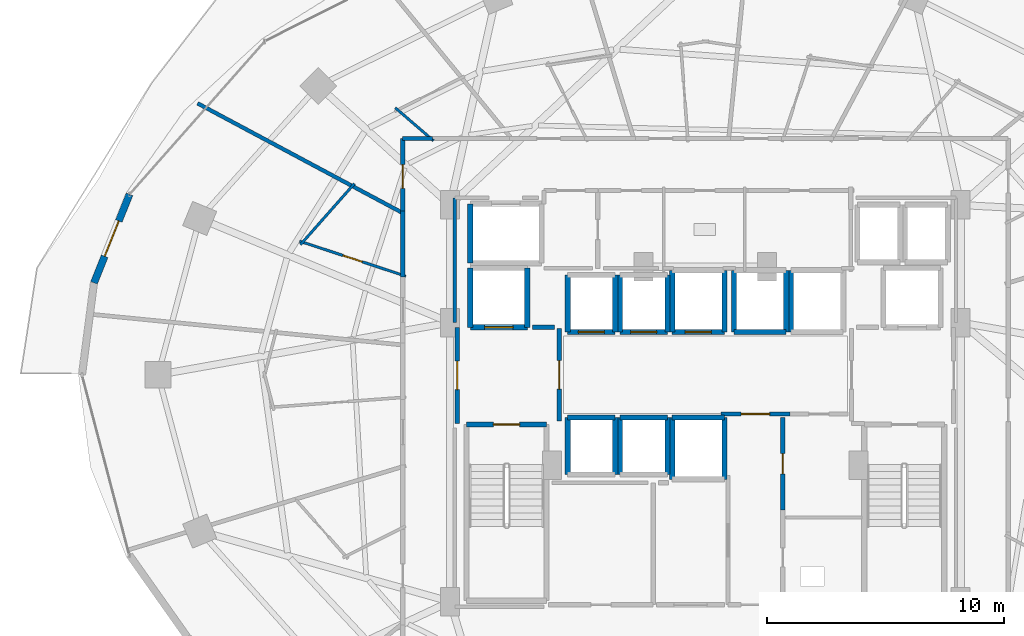
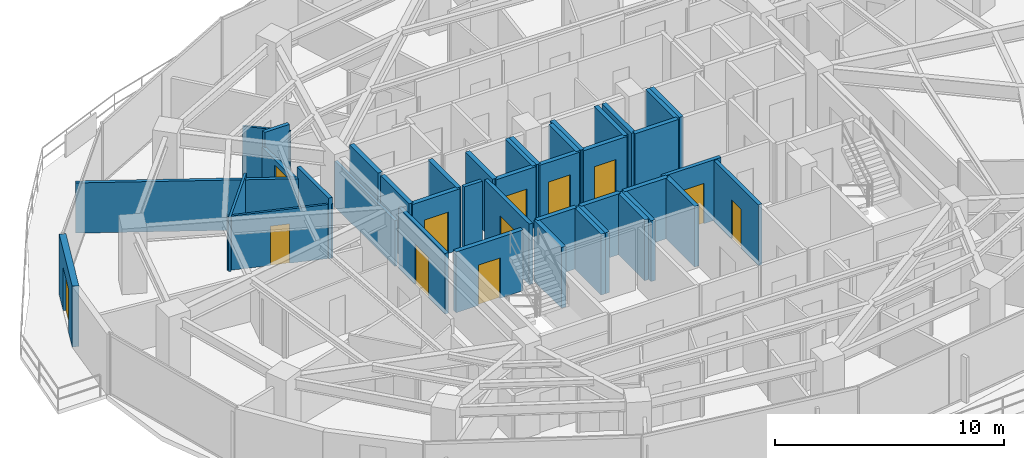
# One storey, part 22 of 29: 41 walls, 12 doors, 12 openings.
"""IFC4 building model written with IfcOpenShell, lengths in metres."""

from ifc_helpers import new_model, si_unit, direction, frame, frame_2d, origin, place, context, subcontext, project, spatial, rectangle, extrude, material, layer, layer_set, type_object, element, fill, save


model = new_model("IFC4")

# Units and contexts
model_context = context("Model", 3, precision=1e-05, world=origin(), true_north=direction((0.0, 1.0)))
body_context = subcontext(model_context, "Body", "Model", "MODEL_VIEW")
ifc_project = project(units=[si_unit("LENGTHUNIT", "METRE"), si_unit("AREAUNIT", "SQUARE_METRE"), si_unit("VOLUMEUNIT", "CUBIC_METRE"), si_unit("PLANEANGLEUNIT", "RADIAN"), si_unit("MASSUNIT", "GRAM", prefix="KILO")], contexts=[model_context])

# Site, building, storey
site_placement = place(None, origin())
site = spatial("IfcSite", under=ifc_project, at=site_placement, CompositionType="ELEMENT")
building_placement = place(site_placement, origin())
building = spatial("IfcBuilding", under=site, at=building_placement, Name="Vorneva Point Tower", CompositionType="ELEMENT")
storey_placement = place(building_placement, frame((0.0, 0.0, 110.300048828125)))
storey = spatial("IfcBuildingStorey", under=building, at=storey_placement, Name="L29", CompositionType="ELEMENT", Elevation=110.300048828125)

# Wall, opening, door
ifc_material_1 = material(Name="Concrete B60 (C50/60)", Category="concrete")
ifc_layer_1 = layer(ifc_material_1, 0.5)
ifc_layer_set_1 = layer_set([ifc_layer_1], Name="Concrete B60 (C50/60)")
wall_type_1 = type_object("IfcWallType", Name="WL-CORE-500", PredefinedType="SHEAR", material=ifc_layer_set_1)
wall_1_placement = place(storey_placement, frame((28.10009765625, 28.0, 0.0), z_axis=(0.0, 0.0, 1.0), x_axis=(1.0, 0.0, 0.0)))
wall_1 = element("IfcWall", 1, at=wall_1_placement, inside=storey, type_object=wall_type_1, Name="L29 Lift FFL1 Shaft Wall -Y", PredefinedType="SHEAR", context=body_context, shape_type="SweptSolid", body=[
    extrude(rectangle(XDim=2.39990234375, YDim=0.219970703125, at=frame_2d((1.199951171875, 0.0))), origin(), (0.0, 0.0, 1.0), 3.239990234375),
])
opening_1_placement = place(wall_1_placement, frame((0.60009765625, 0.0, 0.0)))
opening_1 = element("IfcOpeningElement", 2, at=opening_1_placement, cuts=wall_1, Name="Opening LD-02", PredefinedType="OPENING", context=body_context, shape_type="SweptSolid", body=[
    extrude(rectangle(XDim=1.199951171875, YDim=2.199951171875, at=frame_2d((0.60009765625, 1.10009765625))), frame((0.0, 0.125, 0.0), z_axis=(0.0, -1.0, 0.0), x_axis=(1.0, 0.0, 0.0)), (0.0, 0.0, 1.0), 0.249755859375),
])
ifc_material_2 = material(Name="Brushed stainless steel S304", Category="steel")
door_type_1 = type_object("IfcDoorType", Name="LD-FIRE-1200", OperationType="SLIDING_TO_LEFT", PredefinedType="DOOR", material=ifc_material_2)
door_1_placement = place(opening_1_placement, origin())
door_1 = element("IfcDoor", 3, at=door_1_placement, inside=storey, type_object=door_type_1, Name="L29 Lift FFL1 Sliding Landing Door", OperationType="SLIDING_TO_LEFT", OverallHeight=2.199951171875, OverallWidth=1.199951171875, PredefinedType="DOOR", context=body_context, shape_type="SweptSolid", body=[
    extrude(rectangle(XDim=1.199951171875, YDim=2.199951171875, at=frame_2d((0.60009765625, 1.10009765625))), frame((0.0, 0.02490234375, 0.0), z_axis=(0.0, -1.0, 0.0), x_axis=(1.0, 0.0, 0.0)), (0.0, 0.0, 1.0), 0.050048828125),
])
fill(opening_1, door_1)

# Walls
for number, where, z_axis, x_axis, name in (
    (4, (30.5, 28.0, 0.0), (0.0, 0.0, 1.0), (0.0, 1.0, 0.0), "L29 Lift FFL1 Shaft Wall +X"),
    (5, (28.10009765625, 30.5, 0.0), (0.0, 0.0, 1.0), (0.0, -1.0, 0.0), "L29 Lift FFL1 Shaft Wall -X"),
):
    element("IfcWall", number, at=place(storey_placement, frame(where, z_axis=z_axis, x_axis=x_axis)), inside=storey, type_object=wall_type_1, Name=name, PredefinedType="SHEAR", context=body_context, shape_type="SweptSolid", body=[
        extrude(rectangle(XDim=2.5, YDim=0.219970703125, at=frame_2d((1.25, 0.0))), origin(), (0.0, 0.0, 1.0), 3.239990234375),
    ])

# Wall, opening, door
ifc_material_3 = material(Name="Precast concrete B50 (C40/50)", Category="concrete")
ifc_layer_2 = layer(ifc_material_3, 0.300048828125)
ifc_layer_set_2 = layer_set([ifc_layer_2], Name="Precast concrete B50 (C40/50)")
wall_type_2 = type_object("IfcWallType", Name="WL-EXT-300", PredefinedType="STANDARD", material=ifc_layer_set_2)
wall_2_placement = place(storey_placement, frame((13.748291015625, 33.59619140625, 0.0), z_axis=(0.0, 0.0, 1.0), x_axis=(-0.372345205928, -0.92809430966, 0.0)))
wall_2 = element("IfcWall", 6, at=wall_2_placement, inside=storey, type_object=wall_type_2, Name="L29 Pale-Metal Facade Spandrel Wall 08.1", PredefinedType="STANDARD", context=body_context, shape_type="SweptSolid", body=[
    extrude(rectangle(XDim=4.01220703125, YDim=0.300048828125, at=frame_2d((2.006103515625, 0.0))), origin(), (0.0, 0.0, 1.0), 3.239990234375),
])
opening_2_placement = place(wall_2_placement, frame((1.2060546875, 0.0, 0.0)))
opening_2 = element("IfcOpeningElement", 7, at=opening_2_placement, cuts=wall_2, Name="Opening BD-01", PredefinedType="OPENING", context=body_context, shape_type="SweptSolid", body=[
    extrude(rectangle(XDim=1.60009765625, YDim=2.300048828125, at=frame_2d((0.800048828125, 1.14990234375))), frame((0.0, 0.1650390625, 0.0), z_axis=(0.0, -1.0, 0.0), x_axis=(1.0, 0.0, 0.0)), (0.0, 0.0, 1.0), 0.329833984375),
])
ifc_material_4 = material(Name="Pale anodised aluminium", Category="aluminium")
door_type_2 = type_object("IfcDoorType", Name="DR-BAL-1600", OperationType="SLIDING_TO_LEFT", PredefinedType="DOOR", material=ifc_material_4)
door_2_placement = place(opening_2_placement, origin())
door_2 = element("IfcDoor", 8, at=door_2_placement, inside=storey, type_object=door_type_2, Name="L29 Balcony Terrace Access Door 08", OperationType="SLIDING_TO_LEFT", OverallHeight=2.300048828125, OverallWidth=1.60009765625, PredefinedType="DOOR", context=body_context, shape_type="SweptSolid", body=[
    extrude(rectangle(XDim=1.60009765625, YDim=2.300048828125, at=frame_2d((0.800048828125, 1.14990234375))), frame((0.0, 0.02490234375, 0.0), z_axis=(0.0, -1.0, 0.0), x_axis=(1.0, 0.0, 0.0)), (0.0, 0.0, 1.0), 0.050048828125),
])
fill(opening_2, door_2)

# Walls
ifc_material_5 = material(Name="Fire-rated acoustic gypsum stud partition", Category="gypsum")
ifc_layer_3 = layer(ifc_material_5, 0.110107421875)
ifc_layer_set_3 = layer_set([ifc_layer_3], Name="Fire-rated acoustic gypsum stud partition")
wall_type_3 = type_object("IfcWallType", Name="WL-PART-110", PredefinedType="PARTITIONING", material=ifc_layer_set_3)
wall_3_placement = place(storey_placement, frame((26.548095703125, 35.858642578125, 0.0), z_axis=(0.0, 0.0, 1.0), x_axis=(-0.757776702782, 0.652513960556, 0.0)))
element("IfcWall", 9, at=wall_3_placement, inside=storey, type_object=wall_type_3, Name="L29 Interior Partition 082", PredefinedType="PARTITIONING", context=body_context, shape_type="SweptSolid", body=[
    extrude(rectangle(XDim=2.122314453125, YDim=0.110107421875, at=frame_2d((1.06103515625, 0.0))), origin(), (0.0, 0.0, 1.0), 2.885986328125),
])
wall_4_placement = place(storey_placement, frame((20.9482421875, 31.47900390625, 0.0), z_axis=(0.0, 0.0, 1.0), x_axis=(0.662155101597, 0.749366813669, 0.0)))
element("IfcWall", 10, at=wall_4_placement, inside=storey, type_object=wall_type_3, Name="L29 Interior Partition 084", PredefinedType="PARTITIONING", context=body_context, shape_type="SweptSolid", body=[
    extrude(rectangle(XDim=3.434814453125, YDim=0.110107421875, at=frame_2d((1.71728515625, 0.0))), origin(), (0.0, 0.0, 1.0), 2.885986328125),
])

# Wall, opening, door
wall_5_placement = place(storey_placement, frame((25.383056640625, 30.154296875, 0.0), z_axis=(0.0, 0.0, 1.0), x_axis=(-0.949842778007, 0.312727832257, 0.0)))
wall_5 = element("IfcWall", 11, at=wall_5_placement, inside=storey, type_object=wall_type_3, Name="L29 Interior Partition 085", PredefinedType="PARTITIONING", context=body_context, shape_type="SweptSolid", body=[
    extrude(rectangle(XDim=4.71142578125, YDim=0.110107421875, at=frame_2d((2.355712890625, 0.0))), origin(), (0.0, 0.0, 1.0), 2.885986328125),
])
opening_3_placement = place(wall_5_placement, frame((1.9306640625, 0.0, 0.0)))
opening_3 = element("IfcOpeningElement", 12, at=opening_3_placement, cuts=wall_5, Name="Opening ID-02", PredefinedType="OPENING", context=body_context, shape_type="SweptSolid", body=[
    extrude(rectangle(XDim=0.85009765625, YDim=2.10009765625, at=frame_2d((0.425048828125, 1.050048828125))), frame((0.0, 0.06982421875, 0.0), z_axis=(0.0, -1.0, 0.0), x_axis=(1.0, 0.0, 0.0)), (0.0, 0.0, 1.0), 0.139892578125),
])
ifc_material_6 = material(Name="Engineered oak fire-rated door leaf", Category="wood")
door_type_3 = type_object("IfcDoorType", Name="DR-BATH-850", OperationType="NOTDEFINED", PredefinedType="DOOR", material=ifc_material_6)
door_3_placement = place(opening_3_placement, origin())
door_3 = element("IfcDoor", 13, at=door_3_placement, inside=storey, type_object=door_type_3, Name="L29 Door Corner Suite L29-07 / En-Suite Bathroom L29-07", OperationType="SINGLE_SWING_LEFT", OverallHeight=2.10009765625, OverallWidth=0.85009765625, PredefinedType="DOOR", context=body_context, shape_type="SweptSolid", body=[
    extrude(rectangle(XDim=0.85009765625, YDim=2.10009765625, at=frame_2d((0.425048828125, 1.050048828125))), frame((0.0, 0.02490234375, 0.0), z_axis=(0.0, -1.0, 0.0), x_axis=(1.0, 0.0, 0.0)), (0.0, 0.0, 1.0), 0.050048828125),
])
fill(opening_3, door_3)

# Walls
ifc_layer_4 = layer(ifc_material_5, 0.139892578125)
ifc_layer_set_4 = layer_set([ifc_layer_4], Name="Fire-rated acoustic gypsum stud partition")
wall_type_4 = type_object("IfcWallType", Name="WL-PART-140", PredefinedType="PARTITIONING", material=ifc_layer_set_4)
wall_6_placement = place(storey_placement, frame((27.449951171875, 28.196044921875, 0.0), z_axis=(0.0, 0.0, 1.0), x_axis=(0.0, 1.0, 0.0)))
element("IfcWall", 14, at=wall_6_placement, inside=storey, type_object=wall_type_4, Name="L29 Interior Closure Partition 129", PredefinedType="PARTITIONING", context=body_context, shape_type="SweptSolid", body=[
    extrude(rectangle(XDim=5.25390625, YDim=0.139892578125, at=frame_2d((2.626953125, 0.0))), origin(), (0.0, 0.0, 1.0), 2.431884765625),
])
ifc_layer_5 = layer(ifc_material_5, 0.159912109375)
ifc_layer_set_5 = layer_set([ifc_layer_5], Name="Fire-rated acoustic gypsum stud partition")
wall_type_5 = type_object("IfcWallType", Name="WL-PART-160", PredefinedType="PARTITIONING", material=ifc_layer_set_5)
wall_7_placement = place(storey_placement, frame((16.615966796875, 37.429931640625, 0.0), z_axis=(0.0, 0.0, 1.0), x_axis=(0.881921122551, -0.471397002109, 0.0)))
element("IfcWall", 15, at=wall_7_placement, inside=storey, type_object=wall_type_5, Name="L29 Interior Partition 083", PredefinedType="PARTITIONING", context=body_context, shape_type="SweptSolid", body=[
    extrude(rectangle(XDim=9.7900390625, YDim=0.159912109375, at=frame_2d((4.89501953125, 0.0))), origin(), (0.0, 0.0, 1.0), 2.677001953125),
])

# Wall, opening, door
ifc_material_7 = material(Name="Autoclaved aerated concrete blockwork", Category="masonry")
ifc_layer_6 = layer(ifc_material_7, 0.179931640625)
ifc_layer_set_6 = layer_set([ifc_layer_6], Name="Autoclaved aerated concrete blockwork")
wall_type_6 = type_object("IfcWallType", Name="WL-PART-180", PredefinedType="PARTITIONING", material=ifc_layer_set_6)
wall_8_placement = place(storey_placement, frame((31.85009765625, 24.044921875, 0.0), z_axis=(0.0, 0.0, 1.0), x_axis=(0.0, 1.0, 0.0)))
wall_8 = element("IfcWall", 16, at=wall_8_placement, inside=storey, type_object=wall_type_6, Name="L29 Interior Partition 001", PredefinedType="PARTITIONING", context=body_context, shape_type="SweptSolid", body=[
    extrude(rectangle(XDim=3.91015625, YDim=0.179931640625, at=frame_2d((1.955078125, 0.0))), origin(), (0.0, 0.0, 1.0), 3.239990234375),
])
opening_4_placement = place(wall_8_placement, frame((1.35498046875, 0.0, 0.0)))
opening_4 = element("IfcOpeningElement", 17, at=opening_4_placement, cuts=wall_8, Name="Opening FD-02", PredefinedType="OPENING", context=body_context, shape_type="SweptSolid", body=[
    extrude(rectangle(XDim=1.199951171875, YDim=2.14990234375, at=frame_2d((0.60009765625, 1.074951171875))), frame((0.0, 0.10498046875, 0.0), z_axis=(0.0, -1.0, 0.0), x_axis=(1.0, 0.0, 0.0)), (0.0, 0.0, 1.0), 0.209716796875),
])
ifc_material_8 = material(Name="Fire-rated powder-coated steel", Category="steel")
door_type_4 = type_object("IfcDoorType", Name="DR-FFL-1200", OperationType="NOTDEFINED", PredefinedType="DOOR", material=ifc_material_8)
door_4_placement = place(opening_4_placement, origin())
door_4 = element("IfcDoor", 18, at=door_4_placement, inside=storey, type_object=door_type_4, Name="L29 Door West Firefighting Lobby / Central Lift Lobby", OperationType="SINGLE_SWING_RIGHT", OverallHeight=2.14990234375, OverallWidth=1.199951171875, PredefinedType="DOOR", context=body_context, shape_type="SweptSolid", body=[
    extrude(rectangle(XDim=1.199951171875, YDim=2.14990234375, at=frame_2d((0.60009765625, 1.074951171875))), frame((0.0, 0.02490234375, 0.0), z_axis=(0.0, -1.0, 0.0), x_axis=(1.0, 0.0, 0.0)), (0.0, 0.0, 1.0), 0.050048828125),
])
fill(opening_4, door_4)

wall_9_placement = place(storey_placement, frame((27.550048828125, 28.0, 0.0), z_axis=(0.0, 0.0, 1.0), x_axis=(0.0, -1.0, 0.0)))
wall_9 = element("IfcWall", 19, at=wall_9_placement, inside=storey, type_object=wall_type_6, Name="L29 Interior Partition 002", PredefinedType="PARTITIONING", context=body_context, shape_type="SweptSolid", body=[
    extrude(rectangle(XDim=4.050048828125, YDim=0.179931640625, at=frame_2d((2.02490234375, 0.0))), origin(), (0.0, 0.0, 1.0), 3.239990234375),
])
opening_5_placement = place(wall_9_placement, frame((1.425048828125, 0.0, 0.0)))
opening_5 = element("IfcOpeningElement", 20, at=opening_5_placement, cuts=wall_9, Name="Opening FD-02", PredefinedType="OPENING", context=body_context, shape_type="SweptSolid", body=[
    extrude(rectangle(XDim=1.199951171875, YDim=2.14990234375, at=frame_2d((0.60009765625, 1.074951171875))), frame((0.0, 0.10498046875, 0.0), z_axis=(0.0, -1.0, 0.0), x_axis=(1.0, 0.0, 0.0)), (0.0, 0.0, 1.0), 0.209716796875),
])
door_5_placement = place(opening_5_placement, origin())
door_5 = element("IfcDoor", 21, at=door_5_placement, inside=storey, type_object=door_type_4, Name="L29 Door West Firefighting Lobby / L29 Circulation Corridor", OperationType="SINGLE_SWING_RIGHT", OverallHeight=2.14990234375, OverallWidth=1.199951171875, PredefinedType="DOOR", context=body_context, shape_type="SweptSolid", body=[
    extrude(rectangle(XDim=1.199951171875, YDim=2.14990234375, at=frame_2d((0.60009765625, 1.074951171875))), frame((0.0, 0.02490234375, 0.0), z_axis=(0.0, -1.0, 0.0), x_axis=(1.0, 0.0, 0.0)), (0.0, 0.0, 1.0), 0.050048828125),
])
fill(opening_5, door_5)

wall_10_placement = place(storey_placement, frame((38.64501953125, 24.35009765625, 0.0), z_axis=(0.0, 0.0, 1.0), x_axis=(1.0, 0.0, 0.0)))
wall_10 = element("IfcWall", 22, at=wall_10_placement, inside=storey, type_object=wall_type_6, Name="L29 Interior Partition 009", PredefinedType="PARTITIONING", context=body_context, shape_type="SweptSolid", body=[
    extrude(rectangle(XDim=2.909912109375, YDim=0.179931640625, at=frame_2d((1.455078125, 0.0))), origin(), (0.0, 0.0, 1.0), 3.239990234375),
])
opening_6_placement = place(wall_10_placement, frame((0.85498046875, 0.0, 0.0)))
opening_6 = element("IfcOpeningElement", 23, at=opening_6_placement, cuts=wall_10, Name="Opening FD-02", PredefinedType="OPENING", context=body_context, shape_type="SweptSolid", body=[
    extrude(rectangle(XDim=1.199951171875, YDim=2.14990234375, at=frame_2d((0.60009765625, 1.074951171875))), frame((0.0, 0.10498046875, 0.0), z_axis=(0.0, -1.0, 0.0), x_axis=(1.0, 0.0, 0.0)), (0.0, 0.0, 1.0), 0.209716796875),
])
door_6_placement = place(opening_6_placement, origin())
door_6 = element("IfcDoor", 24, at=door_6_placement, inside=storey, type_object=door_type_4, Name="L29 Door Central Lift Lobby / Core Service Lobby", OperationType="SINGLE_SWING_RIGHT", OverallHeight=2.14990234375, OverallWidth=1.199951171875, PredefinedType="DOOR", context=body_context, shape_type="SweptSolid", body=[
    extrude(rectangle(XDim=1.199951171875, YDim=2.14990234375, at=frame_2d((0.60009765625, 1.074951171875))), frame((0.0, 0.02490234375, 0.0), z_axis=(0.0, -1.0, 0.0), x_axis=(1.0, 0.0, 0.0)), (0.0, 0.0, 1.0), 0.050048828125),
])
fill(opening_6, door_6)

wall_11_placement = place(storey_placement, frame((41.25, 20.304931640625, 0.0), z_axis=(0.0, 0.0, 1.0), x_axis=(0.0, 1.0, 0.0)))
wall_11 = element("IfcWall", 25, at=wall_11_placement, inside=storey, type_object=wall_type_6, Name="L29 Interior Partition 012", PredefinedType="PARTITIONING", context=body_context, shape_type="SweptSolid", body=[
    extrude(rectangle(XDim=3.89501953125, YDim=0.179931640625, at=frame_2d((1.947509765625, 0.0))), origin(), (0.0, 0.0, 1.0), 3.239990234375),
])
opening_7_placement = place(wall_11_placement, frame((1.5224609375, 0.0, 0.0)))
opening_7 = element("IfcOpeningElement", 26, at=opening_7_placement, cuts=wall_11, Name="Opening ID-02", PredefinedType="OPENING", context=body_context, shape_type="SweptSolid", body=[
    extrude(rectangle(XDim=0.85009765625, YDim=2.10009765625, at=frame_2d((0.425048828125, 1.050048828125))), frame((0.0, 0.10498046875, 0.0), z_axis=(0.0, -1.0, 0.0), x_axis=(1.0, 0.0, 0.0)), (0.0, 0.0, 1.0), 0.209716796875),
])
door_7_placement = place(opening_7_placement, origin())
door_7 = element("IfcDoor", 27, at=door_7_placement, inside=storey, type_object=door_type_3, Name="L29 Door Core Service Lobby / Valet and Parcel Room", OperationType="SINGLE_SWING_LEFT", OverallHeight=2.10009765625, OverallWidth=0.85009765625, PredefinedType="DOOR", context=body_context, shape_type="SweptSolid", body=[
    extrude(rectangle(XDim=0.85009765625, YDim=2.10009765625, at=frame_2d((0.425048828125, 1.050048828125))), frame((0.0, 0.02490234375, 0.0), z_axis=(0.0, -1.0, 0.0), x_axis=(1.0, 0.0, 0.0)), (0.0, 0.0, 1.0), 0.050048828125),
])
fill(opening_7, door_7)

# Wall
wall_12_placement = place(storey_placement, frame((26.501953125, 35.949951171875, 0.0), z_axis=(0.0, 0.0, 1.0), x_axis=(-1.0, 0.0, 0.0)))
element("IfcWall", 28, at=wall_12_placement, inside=storey, type_object=wall_type_6, Name="L29 Interior Partition 037", PredefinedType="PARTITIONING", context=body_context, shape_type="SweptSolid", body=[
    extrude(rectangle(XDim=1.251953125, YDim=0.179931640625, at=frame_2d((0.6259765625, 0.0))), origin(), (0.0, 0.0, 1.0), 3.239990234375),
])

# Wall, opening, door
wall_13_placement = place(storey_placement, frame((25.25, 35.949951171875, 0.0), z_axis=(0.0, 0.0, 1.0), x_axis=(0.0, -1.0, 0.0)))
wall_13 = element("IfcWall", 29, at=wall_13_placement, inside=storey, type_object=wall_type_6, Name="L29 Interior Partition 038", PredefinedType="PARTITIONING", context=body_context, shape_type="SweptSolid", body=[
    extrude(rectangle(XDim=3.195068359375, YDim=0.179931640625, at=frame_2d((1.59765625, 0.0))), origin(), (0.0, 0.0, 1.0), 2.431884765625),
])
opening_8_placement = place(wall_13_placement, frame((1.097412109375, 0.0, 0.0)))
opening_8 = element("IfcOpeningElement", 30, at=opening_8_placement, cuts=wall_13, Name="Opening UD-01", PredefinedType="OPENING", context=body_context, shape_type="SweptSolid", body=[
    extrude(rectangle(XDim=1.0, YDim=2.14990234375, at=frame_2d((0.5, 1.074951171875))), frame((0.0, 0.10498046875, 0.0), z_axis=(0.0, -1.0, 0.0), x_axis=(1.0, 0.0, 0.0)), (0.0, 0.0, 1.0), 0.209716796875),
])
door_type_5 = type_object("IfcDoorType", Name="DR-UNIT-1000", OperationType="NOTDEFINED", PredefinedType="DOOR", material=ifc_material_6)
door_8_placement = place(opening_8_placement, origin())
door_8 = element("IfcDoor", 31, at=door_8_placement, inside=storey, type_object=door_type_5, Name="L29 Door L29 Circulation Corridor / King Guest Room L29-06", OperationType="SINGLE_SWING_LEFT", OverallHeight=2.14990234375, OverallWidth=1.0, PredefinedType="DOOR", context=body_context, shape_type="SweptSolid", body=[
    extrude(rectangle(XDim=1.0, YDim=2.14990234375, at=frame_2d((0.5, 1.074951171875))), frame((0.0, 0.02490234375, 0.0), z_axis=(0.0, -1.0, 0.0), x_axis=(1.0, 0.0, 0.0)), (0.0, 0.0, 1.0), 0.050048828125),
])
fill(opening_8, door_8)

# Walls
wall_14_placement = place(storey_placement, frame((25.25, 32.89501953125, 0.0), z_axis=(0.0, 0.0, 1.0), x_axis=(0.0, -1.0, 0.0)))
element("IfcWall", 32, at=wall_14_placement, inside=storey, type_object=wall_type_6, Name="L29 Interior Partition 041", PredefinedType="PARTITIONING", context=body_context, shape_type="SweptSolid", body=[
    extrude(rectangle(XDim=2.77392578125, YDim=0.179931640625, at=frame_2d((1.386962890625, 0.0))), origin(), (0.0, 0.0, 1.0), 3.239990234375),
])
wall_15_placement = place(storey_placement, frame((31.635009765625, 28.0, 0.0), z_axis=(0.0, 0.0, 1.0), x_axis=(-1.0, 0.0, 0.0)))
element("IfcWall", 33, at=wall_15_placement, inside=storey, type_object=wall_type_6, Name="L29 Interior Closure Partition 113", PredefinedType="PARTITIONING", context=body_context, shape_type="SweptSolid", body=[
    extrude(rectangle(XDim=0.9150390625, YDim=0.179931640625, at=frame_2d((0.45751953125, 0.0))), origin(), (0.0, 0.0, 1.0), 3.239990234375),
])

# Wall, opening, door
ifc_material_9 = material(Name="Concrete B50 (C40/50)", Category="concrete")
ifc_layer_7 = layer(ifc_material_9, 0.219970703125)
ifc_layer_set_7 = layer_set([ifc_layer_7], Name="Concrete B50 (C40/50)")
wall_type_7 = type_object("IfcWallType", Name="WL-SHFT-220", PredefinedType="SOLIDWALL", material=ifc_layer_set_7)
wall_16_placement = place(storey_placement, frame((27.93994140625, 23.909912109375, 0.0), z_axis=(0.0, 0.0, 1.0), x_axis=(1.0, 0.0, 0.0)))
wall_16 = element("IfcWall", 34, at=wall_16_placement, inside=storey, type_object=wall_type_7, Name="L29 Exit Stair ST1 Shaft Wall near", PredefinedType="SOLIDWALL", context=body_context, shape_type="SweptSolid", body=[
    extrude(rectangle(XDim=3.3701171875, YDim=0.219970703125, at=frame_2d((1.68505859375, 0.0))), origin(), (0.0, 0.0, 1.0), 3.239990234375),
])
opening_9_placement = place(wall_16_placement, frame((1.135009765625, 0.0, 0.0)))
opening_9 = element("IfcOpeningElement", 35, at=opening_9_placement, cuts=wall_16, Name="Opening FD-01", PredefinedType="OPENING", context=body_context, shape_type="SweptSolid", body=[
    extrude(rectangle(XDim=1.10009765625, YDim=2.14990234375, at=frame_2d((0.550048828125, 1.074951171875))), frame((0.0, 0.125, 0.0), z_axis=(0.0, -1.0, 0.0), x_axis=(1.0, 0.0, 0.0)), (0.0, 0.0, 1.0), 0.249755859375),
])
door_type_6 = type_object("IfcDoorType", Name="DR-STAIR-1100", OperationType="NOTDEFINED", PredefinedType="DOOR", material=ifc_material_8)
door_9_placement = place(opening_9_placement, origin())
door_9 = element("IfcDoor", 36, at=door_9_placement, inside=storey, type_object=door_type_6, Name="L29 Exit Stair ST1 Fire Door", OperationType="SINGLE_SWING_LEFT", OverallHeight=2.14990234375, OverallWidth=1.10009765625, PredefinedType="DOOR", context=body_context, shape_type="SweptSolid", body=[
    extrude(rectangle(XDim=1.10009765625, YDim=2.14990234375, at=frame_2d((0.550048828125, 1.074951171875))), frame((0.0, 0.02490234375, 0.0), z_axis=(0.0, -1.0, 0.0), x_axis=(1.0, 0.0, 0.0)), (0.0, 0.0, 1.0), 0.050048828125),
])
fill(opening_9, door_9)

wall_17_placement = place(storey_placement, frame((32.199951171875, 27.800048828125, 0.0), z_axis=(0.0, 0.0, 1.0), x_axis=(1.0, 0.0, 0.0)))
wall_17 = element("IfcWall", 37, at=wall_17_placement, inside=storey, type_object=wall_type_7, Name="L29 Lift PL1 Shaft Wall -Y", PredefinedType="SOLIDWALL", context=body_context, shape_type="SweptSolid", body=[
    extrude(rectangle(XDim=2.0, YDim=0.219970703125, at=frame_2d((1.0, 0.0))), origin(), (0.0, 0.0, 1.0), 3.239990234375),
])
opening_10_placement = place(wall_17_placement, frame((0.449951171875, 0.0, 0.0)))
opening_10 = element("IfcOpeningElement", 38, at=opening_10_placement, cuts=wall_17, Name="Opening LD-01", PredefinedType="OPENING", context=body_context, shape_type="SweptSolid", body=[
    extrude(rectangle(XDim=1.10009765625, YDim=2.199951171875, at=frame_2d((0.550048828125, 1.10009765625))), frame((0.0, 0.125, 0.0), z_axis=(0.0, -1.0, 0.0), x_axis=(1.0, 0.0, 0.0)), (0.0, 0.0, 1.0), 0.249755859375),
])
door_type_7 = type_object("IfcDoorType", Name="LD-PASS-1100", OperationType="SLIDING_TO_LEFT", PredefinedType="DOOR", material=ifc_material_2)
door_10_placement = place(opening_10_placement, origin())
door_10 = element("IfcDoor", 39, at=door_10_placement, inside=storey, type_object=door_type_7, Name="L29 Lift PL1 Sliding Landing Door", OperationType="SLIDING_TO_LEFT", OverallHeight=2.199951171875, OverallWidth=1.10009765625, PredefinedType="DOOR", context=body_context, shape_type="SweptSolid", body=[
    extrude(rectangle(XDim=1.10009765625, YDim=2.199951171875, at=frame_2d((0.550048828125, 1.10009765625))), frame((0.0, 0.02490234375, 0.0), z_axis=(0.0, -1.0, 0.0), x_axis=(1.0, 0.0, 0.0)), (0.0, 0.0, 1.0), 0.050048828125),
])
fill(opening_10, door_10)

# Walls
for number, where, z_axis, x_axis, name in (
    (40, (34.199951171875, 27.800048828125, 0.0), (0.0, 0.0, 1.0), (0.0, 1.0, 0.0), "L29 Lift PL1 Shaft Wall +X"),
    (41, (32.199951171875, 30.199951171875, 0.0), (0.0, 0.0, 1.0), (0.0, -1.0, 0.0), "L29 Lift PL1 Shaft Wall -X"),
):
    element("IfcWall", number, at=place(storey_placement, frame(where, z_axis=z_axis, x_axis=x_axis)), inside=storey, type_object=wall_type_7, Name=name, PredefinedType="SOLIDWALL", context=body_context, shape_type="SweptSolid", body=[
        extrude(rectangle(XDim=2.39990234375, YDim=0.219970703125, at=frame_2d((1.199951171875, 0.0))), origin(), (0.0, 0.0, 1.0), 3.239990234375),
    ])

# Wall, opening, door
wall_18_placement = place(storey_placement, frame((34.39990234375, 27.800048828125, 0.0), z_axis=(0.0, 0.0, 1.0), x_axis=(1.0, 0.0, 0.0)))
wall_18 = element("IfcWall", 42, at=wall_18_placement, inside=storey, type_object=wall_type_7, Name="L29 Lift PL2 Shaft Wall -Y", PredefinedType="SOLIDWALL", context=body_context, shape_type="SweptSolid", body=[
    extrude(rectangle(XDim=2.0, YDim=0.219970703125, at=frame_2d((1.0, 0.0))), origin(), (0.0, 0.0, 1.0), 3.239990234375),
])
opening_11_placement = place(wall_18_placement, frame((0.449951171875, 0.0, 0.0)))
opening_11 = element("IfcOpeningElement", 43, at=opening_11_placement, cuts=wall_18, Name="Opening LD-01", PredefinedType="OPENING", context=body_context, shape_type="SweptSolid", body=[
    extrude(rectangle(XDim=1.10009765625, YDim=2.199951171875, at=frame_2d((0.550048828125, 1.10009765625))), frame((0.0, 0.125, 0.0), z_axis=(0.0, -1.0, 0.0), x_axis=(1.0, 0.0, 0.0)), (0.0, 0.0, 1.0), 0.249755859375),
])
door_11_placement = place(opening_11_placement, origin())
door_11 = element("IfcDoor", 44, at=door_11_placement, inside=storey, type_object=door_type_7, Name="L29 Lift PL2 Sliding Landing Door", OperationType="SLIDING_TO_LEFT", OverallHeight=2.199951171875, OverallWidth=1.10009765625, PredefinedType="DOOR", context=body_context, shape_type="SweptSolid", body=[
    extrude(rectangle(XDim=1.10009765625, YDim=2.199951171875, at=frame_2d((0.550048828125, 1.10009765625))), frame((0.0, 0.02490234375, 0.0), z_axis=(0.0, -1.0, 0.0), x_axis=(1.0, 0.0, 0.0)), (0.0, 0.0, 1.0), 0.050048828125),
])
fill(opening_11, door_11)

# Walls
for number, where, z_axis, x_axis, name in (
    (45, (36.39990234375, 27.800048828125, 0.0), (0.0, 0.0, 1.0), (0.0, 1.0, 0.0), "L29 Lift PL2 Shaft Wall +X"),
    (46, (34.39990234375, 30.199951171875, 0.0), (0.0, 0.0, 1.0), (0.0, -1.0, 0.0), "L29 Lift PL2 Shaft Wall -X"),
):
    element("IfcWall", number, at=place(storey_placement, frame(where, z_axis=z_axis, x_axis=x_axis)), inside=storey, type_object=wall_type_7, Name=name, PredefinedType="SOLIDWALL", context=body_context, shape_type="SweptSolid", body=[
        extrude(rectangle(XDim=2.39990234375, YDim=0.219970703125, at=frame_2d((1.199951171875, 0.0))), origin(), (0.0, 0.0, 1.0), 3.239990234375),
    ])

# Wall, opening, door
wall_19_placement = place(storey_placement, frame((36.60009765625, 27.800048828125, 0.0), z_axis=(0.0, 0.0, 1.0), x_axis=(1.0, 0.0, 0.0)))
wall_19 = element("IfcWall", 47, at=wall_19_placement, inside=storey, type_object=wall_type_7, Name="L29 Lift PL3 Shaft Wall -Y", PredefinedType="SOLIDWALL", context=body_context, shape_type="SweptSolid", body=[
    extrude(rectangle(XDim=2.199951171875, YDim=0.219970703125, at=frame_2d((1.10009765625, 0.0))), origin(), (0.0, 0.0, 1.0), 3.239990234375),
])
opening_12_placement = place(wall_19_placement, frame((0.550048828125, 0.0, 0.0)))
opening_12 = element("IfcOpeningElement", 48, at=opening_12_placement, cuts=wall_19, Name="Opening LD-01", PredefinedType="OPENING", context=body_context, shape_type="SweptSolid", body=[
    extrude(rectangle(XDim=1.10009765625, YDim=2.199951171875, at=frame_2d((0.550048828125, 1.10009765625))), frame((0.0, 0.125, 0.0), z_axis=(0.0, -1.0, 0.0), x_axis=(1.0, 0.0, 0.0)), (0.0, 0.0, 1.0), 0.249755859375),
])
door_12_placement = place(opening_12_placement, origin())
door_12 = element("IfcDoor", 49, at=door_12_placement, inside=storey, type_object=door_type_7, Name="L29 Lift PL3 Sliding Landing Door", OperationType="SLIDING_TO_LEFT", OverallHeight=2.199951171875, OverallWidth=1.10009765625, PredefinedType="DOOR", context=body_context, shape_type="SweptSolid", body=[
    extrude(rectangle(XDim=1.10009765625, YDim=2.199951171875, at=frame_2d((0.550048828125, 1.10009765625))), frame((0.0, 0.02490234375, 0.0), z_axis=(0.0, -1.0, 0.0), x_axis=(1.0, 0.0, 0.0)), (0.0, 0.0, 1.0), 0.050048828125),
])
fill(opening_12, door_12)

# Walls
for number, where, z_axis, x_axis, name in (
    (50, (38.800048828125, 27.800048828125, 0.0), (0.0, 0.0, 1.0), (0.0, 1.0, 0.0), "L29 Lift PL3 Shaft Wall +X"),
    (51, (36.60009765625, 30.39990234375, 0.0), (0.0, 0.0, 1.0), (0.0, -1.0, 0.0), "L29 Lift PL3 Shaft Wall -X"),
):
    element("IfcWall", number, at=place(storey_placement, frame(where, z_axis=z_axis, x_axis=x_axis)), inside=storey, type_object=wall_type_7, Name=name, PredefinedType="SOLIDWALL", context=body_context, shape_type="SweptSolid", body=[
        extrude(rectangle(XDim=2.599853515625, YDim=0.219970703125, at=frame_2d((1.2998046875, 0.0))), origin(), (0.0, 0.0, 1.0), 3.239990234375),
    ])
wall_20_placement = place(storey_placement, frame((34.199951171875, 21.800048828125, 0.0), z_axis=(0.0, 0.0, 1.0), x_axis=(0.0, 1.0, 0.0)))
element("IfcWall", 52, at=wall_20_placement, inside=storey, type_object=wall_type_7, Name="L29 Lift PL4 Shaft Wall +X", PredefinedType="SOLIDWALL", context=body_context, shape_type="SweptSolid", body=[
    extrude(rectangle(XDim=2.39990234375, YDim=0.219970703125, at=frame_2d((1.199951171875, 0.0))), origin(), (0.0, 0.0, 1.0), 3.239990234375),
])
wall_21_placement = place(storey_placement, frame((34.199951171875, 24.199951171875, 0.0), z_axis=(0.0, 0.0, 1.0), x_axis=(-1.0, 0.0, 0.0)))
element("IfcWall", 53, at=wall_21_placement, inside=storey, type_object=wall_type_7, Name="L29 Lift PL4 Shaft Wall +Y", PredefinedType="SOLIDWALL", context=body_context, shape_type="SweptSolid", body=[
    extrude(rectangle(XDim=2.0, YDim=0.219970703125, at=frame_2d((1.0, 0.0))), origin(), (0.0, 0.0, 1.0), 3.239990234375),
])
for number, where, z_axis, x_axis, name in (
    (54, (32.199951171875, 24.199951171875, 0.0), (0.0, 0.0, 1.0), (0.0, -1.0, 0.0), "L29 Lift PL4 Shaft Wall -X"),
    (55, (36.39990234375, 21.800048828125, 0.0), (0.0, 0.0, 1.0), (0.0, 1.0, 0.0), "L29 Lift PL5 Shaft Wall +X"),
):
    element("IfcWall", number, at=place(storey_placement, frame(where, z_axis=z_axis, x_axis=x_axis)), inside=storey, type_object=wall_type_7, Name=name, PredefinedType="SOLIDWALL", context=body_context, shape_type="SweptSolid", body=[
        extrude(rectangle(XDim=2.39990234375, YDim=0.219970703125, at=frame_2d((1.199951171875, 0.0))), origin(), (0.0, 0.0, 1.0), 3.239990234375),
    ])
wall_22_placement = place(storey_placement, frame((36.39990234375, 24.199951171875, 0.0), z_axis=(0.0, 0.0, 1.0), x_axis=(-1.0, 0.0, 0.0)))
element("IfcWall", 56, at=wall_22_placement, inside=storey, type_object=wall_type_7, Name="L29 Lift PL5 Shaft Wall +Y", PredefinedType="SOLIDWALL", context=body_context, shape_type="SweptSolid", body=[
    extrude(rectangle(XDim=2.0, YDim=0.219970703125, at=frame_2d((1.0, 0.0))), origin(), (0.0, 0.0, 1.0), 3.239990234375),
])
wall_23_placement = place(storey_placement, frame((34.39990234375, 24.199951171875, 0.0), z_axis=(0.0, 0.0, 1.0), x_axis=(0.0, -1.0, 0.0)))
element("IfcWall", 57, at=wall_23_placement, inside=storey, type_object=wall_type_7, Name="L29 Lift PL5 Shaft Wall -X", PredefinedType="SOLIDWALL", context=body_context, shape_type="SweptSolid", body=[
    extrude(rectangle(XDim=2.39990234375, YDim=0.219970703125, at=frame_2d((1.199951171875, 0.0))), origin(), (0.0, 0.0, 1.0), 3.239990234375),
])
wall_24_placement = place(storey_placement, frame((38.800048828125, 21.60009765625, 0.0), z_axis=(0.0, 0.0, 1.0), x_axis=(0.0, 1.0, 0.0)))
element("IfcWall", 58, at=wall_24_placement, inside=storey, type_object=wall_type_7, Name="L29 Lift PL6 Shaft Wall +X", PredefinedType="SOLIDWALL", context=body_context, shape_type="SweptSolid", body=[
    extrude(rectangle(XDim=2.599853515625, YDim=0.219970703125, at=frame_2d((1.2998046875, 0.0))), origin(), (0.0, 0.0, 1.0), 3.239990234375),
])
wall_25_placement = place(storey_placement, frame((38.800048828125, 24.199951171875, 0.0), z_axis=(0.0, 0.0, 1.0), x_axis=(-1.0, 0.0, 0.0)))
element("IfcWall", 59, at=wall_25_placement, inside=storey, type_object=wall_type_7, Name="L29 Lift PL6 Shaft Wall +Y", PredefinedType="SOLIDWALL", context=body_context, shape_type="SweptSolid", body=[
    extrude(rectangle(XDim=2.199951171875, YDim=0.219970703125, at=frame_2d((1.10009765625, 0.0))), origin(), (0.0, 0.0, 1.0), 3.239990234375),
])
wall_26_placement = place(storey_placement, frame((36.60009765625, 24.199951171875, 0.0), z_axis=(0.0, 0.0, 1.0), x_axis=(0.0, -1.0, 0.0)))
element("IfcWall", 60, at=wall_26_placement, inside=storey, type_object=wall_type_7, Name="L29 Lift PL6 Shaft Wall -X", PredefinedType="SOLIDWALL", context=body_context, shape_type="SweptSolid", body=[
    extrude(rectangle(XDim=2.599853515625, YDim=0.219970703125, at=frame_2d((1.2998046875, 0.0))), origin(), (0.0, 0.0, 1.0), 3.239990234375),
])
wall_27_placement = place(storey_placement, frame((39.199951171875, 27.800048828125, 0.0), z_axis=(0.0, 0.0, 1.0), x_axis=(1.0, 0.0, 0.0)))
element("IfcWall", 61, at=wall_27_placement, inside=storey, type_object=wall_type_7, Name="L29 Lift PL7 Shaft Wall -Y", PredefinedType="SOLIDWALL", context=body_context, shape_type="SweptSolid", body=[
    extrude(rectangle(XDim=2.199951171875, YDim=0.219970703125, at=frame_2d((1.10009765625, 0.0))), origin(), (0.0, 0.0, 1.0), 3.239990234375),
])
for number, where, z_axis, x_axis, name in (
    (62, (41.39990234375, 27.800048828125, 0.0), (0.0, 0.0, 1.0), (0.0, 1.0, 0.0), "L29 Lift PL7 Shaft Wall +X"),
    (63, (39.199951171875, 30.39990234375, 0.0), (0.0, 0.0, 1.0), (0.0, -1.0, 0.0), "L29 Lift PL7 Shaft Wall -X"),
    (64, (41.60009765625, 30.39990234375, 0.0), (0.0, 0.0, 1.0), (0.0, -1.0, 0.0), "L29 Lift PL8 Shaft Wall -X"),
):
    element("IfcWall", number, at=place(storey_placement, frame(where, z_axis=z_axis, x_axis=x_axis)), inside=storey, type_object=wall_type_7, Name=name, PredefinedType="SOLIDWALL", context=body_context, shape_type="SweptSolid", body=[
        extrude(rectangle(XDim=2.599853515625, YDim=0.219970703125, at=frame_2d((1.2998046875, 0.0))), origin(), (0.0, 0.0, 1.0), 3.239990234375),
    ])
wall_28_placement = place(storey_placement, frame((28.10009765625, 33.199951171875, 0.0), z_axis=(0.0, 0.0, 1.0), x_axis=(0.0, -1.0, 0.0)))
element("IfcWall", 65, at=wall_28_placement, inside=storey, type_object=wall_type_7, Name="L29 Lift SVL1 Shaft Wall -X", PredefinedType="SOLIDWALL", context=body_context, shape_type="SweptSolid", body=[
    extrude(rectangle(XDim=2.5, YDim=0.219970703125, at=frame_2d((1.25, 0.0))), origin(), (0.0, 0.0, 1.0), 3.239990234375),
])

save(model, "model.ifc")
